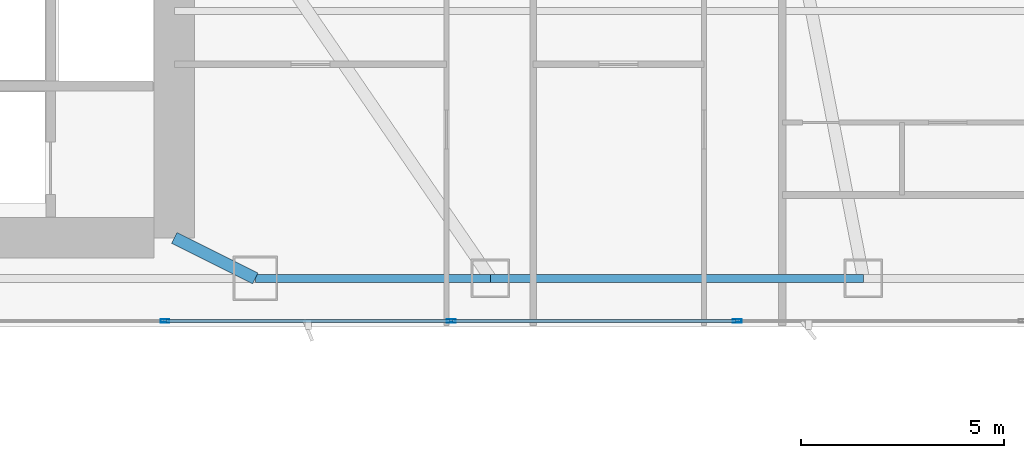
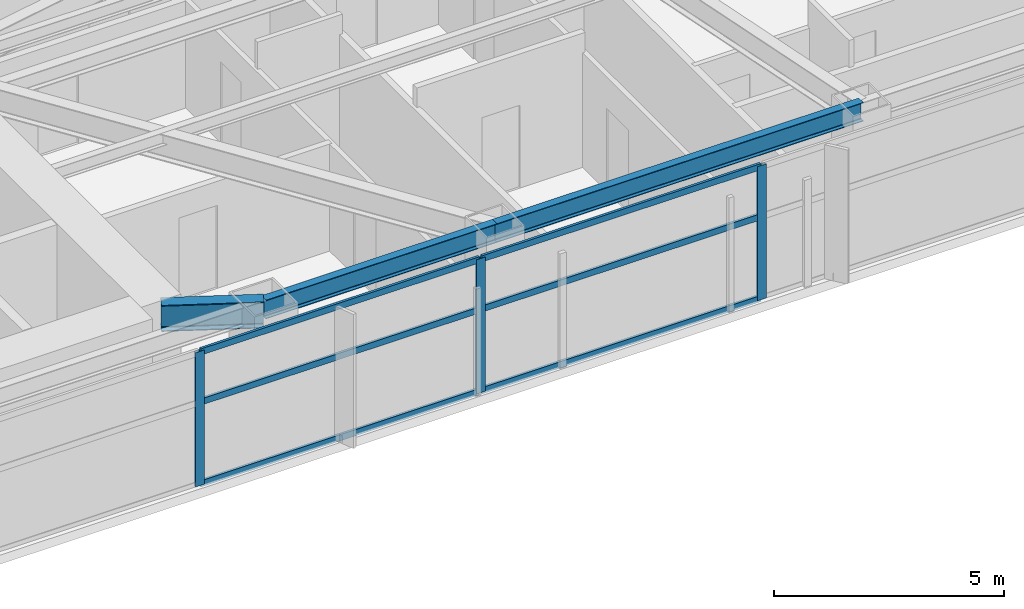
# One storey, part 12 of 29: 9 members, 3 beams, 1 element without a shape of its own.
"""IFC4 building model written with IfcOpenShell, lengths in metres."""

from ifc_helpers import new_model, si_unit, direction, frame, origin, origin_2d, place, context, subcontext, project, spatial, hollow_rectangle, i_section, extrude, material, layer, layer_set, material_profile, profile_set, type_object, element, aggregate, save


model = new_model("IFC4")

# Units and contexts
model_context = context("Model", 3, precision=1e-05, world=origin(), true_north=direction((0.0, 1.0)))
body_context = subcontext(model_context, "Body", "Model", "MODEL_VIEW")
ifc_project = project(units=[si_unit("LENGTHUNIT", "METRE"), si_unit("AREAUNIT", "SQUARE_METRE"), si_unit("VOLUMEUNIT", "CUBIC_METRE"), si_unit("PLANEANGLEUNIT", "RADIAN"), si_unit("MASSUNIT", "GRAM", prefix="KILO")], contexts=[model_context])

# Site, building, storey
site_placement = place(None, origin())
site = spatial("IfcSite", under=ifc_project, at=site_placement, CompositionType="ELEMENT")
building_placement = place(site_placement, origin())
building = spatial("IfcBuilding", under=site, at=building_placement, Name="Calvorn Quay Hotel", CompositionType="ELEMENT")
storey_placement = place(building_placement, frame((0.0, 0.0, 34.60009765625)))
storey = spatial("IfcBuildingStorey", under=building, at=storey_placement, Name="L07", CompositionType="ELEMENT", Elevation=34.60009765625)

# Beams
ifc_material_1 = material(Name="Steel Q390GJC", Category="steel")
ifc_material_profile_1 = material_profile(ifc_material_1, i_section(OverallWidth=0.300048828125, OverallDepth=0.699951171875, WebThickness=0.012939453125, FlangeThickness=0.02392578125, FilletRadius=0.02392578125, at=origin_2d()), Name="HN700x300x13x24")
ifc_profile_set_1 = profile_set([ifc_material_profile_1], Name="Steel Q390GJC")
beam_type_1 = type_object("IfcBeamType", Name="BM-GIRD-MAIN", PredefinedType="BEAM", material=ifc_profile_set_1)
beam_1_placement = place(storey_placement, frame((34.39990234375, 3.60009765625, 3.18994140625), z_axis=(-0.894427191, 0.4472135955, 0.0), x_axis=(-0.4472135955, -0.894427191, 0.0)))
element("IfcBeam", 1, at=beam_1_placement, inside=storey, type_object=beam_type_1, Name="Beam BG-L07-S3", PredefinedType="BEAM", context=body_context, shape_type="SweptSolid", body=[
    extrude(i_section(OverallWidth=0.300048828125, OverallDepth=0.699951171875, WebThickness=0.012939453125, FlangeThickness=0.02392578125, FilletRadius=0.02392578125, at=origin_2d()), origin(), (0.0, 0.0, 1.0), 2.236083984375),
])
ifc_material_2 = material(Name="Steel Q355B", Category="steel")
ifc_material_profile_2 = material_profile(ifc_material_2, i_section(OverallWidth=0.199951171875, OverallDepth=0.5, WebThickness=0.010009765625, FlangeThickness=0.01611328125, FilletRadius=0.01611328125, at=origin_2d()), Name="HN500x200x10x16")
ifc_profile_set_2 = profile_set([ifc_material_profile_2], Name="Steel Q355B")
beam_type_2 = type_object("IfcBeamType", Name="BM-SPANDREL-Z1", PredefinedType="SPANDREL", material=ifc_profile_set_2)
beam_2_placement = place(storey_placement, frame((34.39990234375, 3.60009765625, 3.289794921875), z_axis=(1.0, 0.0, 0.0), x_axis=(0.0, 1.0, 0.0)))
element("IfcBeam", 2, at=beam_2_placement, inside=storey, type_object=beam_type_2, Name="Beam BSP-L07-S4", PredefinedType="SPANDREL", context=body_context, shape_type="SweptSolid", body=[
    extrude(i_section(OverallWidth=0.199951171875, OverallDepth=0.5, WebThickness=0.010009765625, FlangeThickness=0.01611328125, FilletRadius=0.01611328125, at=origin_2d()), origin(), (0.0, 0.0, 1.0), 5.800048828125),
])
beam_3_placement = place(storey_placement, frame((40.199951171875, 3.60009765625, 3.289794921875), z_axis=(1.0, 0.0, 0.0), x_axis=(0.0, 1.0, 0.0)))
element("IfcBeam", 3, at=beam_3_placement, inside=storey, type_object=beam_type_2, Name="Beam BSP-L07-S5", PredefinedType="SPANDREL", context=body_context, shape_type="SweptSolid", body=[
    extrude(i_section(OverallWidth=0.199951171875, OverallDepth=0.5, WebThickness=0.010009765625, FlangeThickness=0.01611328125, FilletRadius=0.01611328125, at=origin_2d()), origin(), (0.0, 0.0, 1.0), 9.199951171875),
])

# Curtain wall, members
ifc_material_3 = material(Name="Pale Anodised Aluminium and Low-E Glass", Category="aluminium")
ifc_layer = layer(ifc_material_3, 0.219970703125)
ifc_layer_set = layer_set([ifc_layer], Name="CW-SYS-Z1")
curtain_wall_type = type_object("IfcCurtainWallType", Name="CW-SYS-Z1", PredefinedType="NOTDEFINED", material=ifc_layer_set)
curtain_wall_placement = place(storey_placement, origin())
curtain_wall = element("IfcCurtainWall", 4, at=curtain_wall_placement, inside=storey, type_object=curtain_wall_type, Name="Tower South Waterfront Curtain Wall (L07)", PredefinedType="NOTDEFINED")
ifc_material_4 = material(Name="Pale Anodised Aluminium 6063-T6", Category="aluminium")
ifc_material_profile_3 = material_profile(ifc_material_4, hollow_rectangle(XDim=0.074951171875, YDim=0.219970703125, WallThickness=0.00439453125, at=origin_2d()), Name="ALU-M220x75x4.5")
ifc_profile_set_3 = profile_set([ifc_material_profile_3], Name="Pale Anodised Aluminium 6063-T6")
member_type_1 = type_object("IfcMemberType", Name="CW-SYS-Z1-MUL", PredefinedType="MULLION", material=ifc_profile_set_3)
member_1_placement = place(storey_placement, frame((32.17138671875, 2.550048828125, 0.0), z_axis=(0.0, 0.0, 1.0), x_axis=(0.0, 1.0, 0.0)))
member_1 = element("IfcMember", 5, at=member_1_placement, type_object=member_type_1, Name="CW-L07-S mullion 4", PredefinedType="MULLION", context=body_context, shape_type="SweptSolid", body=[
    extrude(hollow_rectangle(XDim=0.074951171875, YDim=0.219970703125, WallThickness=0.00439453125, at=origin_2d()), origin(), (0.0, 0.0, 1.0), 3.559814453125),
])
member_2_placement = place(storey_placement, frame((39.228515625, 2.550048828125, 0.0), z_axis=(0.0, 0.0, 1.0), x_axis=(0.0, 1.0, 0.0)))
member_2 = element("IfcMember", 6, at=member_2_placement, type_object=member_type_1, Name="CW-L07-S mullion 5", PredefinedType="MULLION", context=body_context, shape_type="SweptSolid", body=[
    extrude(hollow_rectangle(XDim=0.074951171875, YDim=0.219970703125, WallThickness=0.00439453125, at=origin_2d()), origin(), (0.0, 0.0, 1.0), 3.559814453125),
])
member_3_placement = place(storey_placement, frame((46.28564453125, 2.550048828125, 0.0), z_axis=(0.0, 0.0, 1.0), x_axis=(0.0, 1.0, 0.0)))
member_3 = element("IfcMember", 7, at=member_3_placement, type_object=member_type_1, Name="CW-L07-S mullion 6", PredefinedType="MULLION", context=body_context, shape_type="SweptSolid", body=[
    extrude(hollow_rectangle(XDim=0.074951171875, YDim=0.219970703125, WallThickness=0.00439453125, at=origin_2d()), origin(), (0.0, 0.0, 1.0), 3.559814453125),
])
ifc_material_5 = material(Name="Pale Anodised Aluminium 6063-T6", Category="aluminium")
ifc_material_profile_4 = material_profile(ifc_material_5, hollow_rectangle(XDim=0.06494140625, YDim=0.1650390625, WallThickness=0.00341796875, at=origin_2d()), Name="ALU-T165x65x3.5")
ifc_profile_set_4 = profile_set([ifc_material_profile_4], Name="Pale Anodised Aluminium 6063-T6")
member_type_2 = type_object("IfcMemberType", Name="CW-SYS-Z1-TRN", PredefinedType="USERDEFINED", material=ifc_profile_set_4)
member_4_placement = place(storey_placement, frame((32.201416015625, 2.550048828125, 0.02978515625), z_axis=(1.0, 0.0, 0.0), x_axis=(0.0, 1.0, 0.0)))
member_4 = element("IfcMember", 8, at=member_4_placement, type_object=member_type_2, Name="CW-L07-S transom 4.1", ObjectType="TRANSOM", PredefinedType="USERDEFINED", context=body_context, shape_type="SweptSolid", body=[
    extrude(hollow_rectangle(XDim=0.06494140625, YDim=0.1650390625, WallThickness=0.00341796875, at=origin_2d()), origin(), (0.0, 0.0, 1.0), 6.9970703125),
])
member_5_placement = place(storey_placement, frame((32.201416015625, 2.550048828125, 2.199951171875), z_axis=(1.0, 0.0, 0.0), x_axis=(0.0, 1.0, 0.0)))
member_5 = element("IfcMember", 9, at=member_5_placement, type_object=member_type_2, Name="CW-L07-S transom 4.2", ObjectType="TRANSOM", PredefinedType="USERDEFINED", context=body_context, shape_type="SweptSolid", body=[
    extrude(hollow_rectangle(XDim=0.06494140625, YDim=0.1650390625, WallThickness=0.00341796875, at=origin_2d()), origin(), (0.0, 0.0, 1.0), 6.9970703125),
])
member_6_placement = place(storey_placement, frame((32.201416015625, 2.550048828125, 3.52978515625), z_axis=(1.0, 0.0, 0.0), x_axis=(0.0, 1.0, 0.0)))
member_6 = element("IfcMember", 10, at=member_6_placement, type_object=member_type_2, Name="CW-L07-S transom 4.3", ObjectType="TRANSOM", PredefinedType="USERDEFINED", context=body_context, shape_type="SweptSolid", body=[
    extrude(hollow_rectangle(XDim=0.06494140625, YDim=0.1650390625, WallThickness=0.00341796875, at=origin_2d()), origin(), (0.0, 0.0, 1.0), 6.9970703125),
])
member_7_placement = place(storey_placement, frame((39.258544921875, 2.550048828125, 0.02978515625), z_axis=(1.0, 0.0, 0.0), x_axis=(0.0, 1.0, 0.0)))
member_7 = element("IfcMember", 11, at=member_7_placement, type_object=member_type_2, Name="CW-L07-S transom 5.1", ObjectType="TRANSOM", PredefinedType="USERDEFINED", context=body_context, shape_type="SweptSolid", body=[
    extrude(hollow_rectangle(XDim=0.06494140625, YDim=0.1650390625, WallThickness=0.00341796875, at=origin_2d()), origin(), (0.0, 0.0, 1.0), 6.9970703125),
])
member_8_placement = place(storey_placement, frame((39.258544921875, 2.550048828125, 2.199951171875), z_axis=(1.0, 0.0, 0.0), x_axis=(0.0, 1.0, 0.0)))
member_8 = element("IfcMember", 12, at=member_8_placement, type_object=member_type_2, Name="CW-L07-S transom 5.2", ObjectType="TRANSOM", PredefinedType="USERDEFINED", context=body_context, shape_type="SweptSolid", body=[
    extrude(hollow_rectangle(XDim=0.06494140625, YDim=0.1650390625, WallThickness=0.00341796875, at=origin_2d()), origin(), (0.0, 0.0, 1.0), 6.9970703125),
])
member_9_placement = place(storey_placement, frame((39.258544921875, 2.550048828125, 3.52978515625), z_axis=(1.0, 0.0, 0.0), x_axis=(0.0, 1.0, 0.0)))
member_9 = element("IfcMember", 13, at=member_9_placement, type_object=member_type_2, Name="CW-L07-S transom 5.3", ObjectType="TRANSOM", PredefinedType="USERDEFINED", context=body_context, shape_type="SweptSolid", body=[
    extrude(hollow_rectangle(XDim=0.06494140625, YDim=0.1650390625, WallThickness=0.00341796875, at=origin_2d()), origin(), (0.0, 0.0, 1.0), 6.9970703125),
])
aggregate(curtain_wall, [member_1, member_2, member_3, member_4, member_5, member_6, member_7, member_8, member_9])

save(model, "model.ifc")
